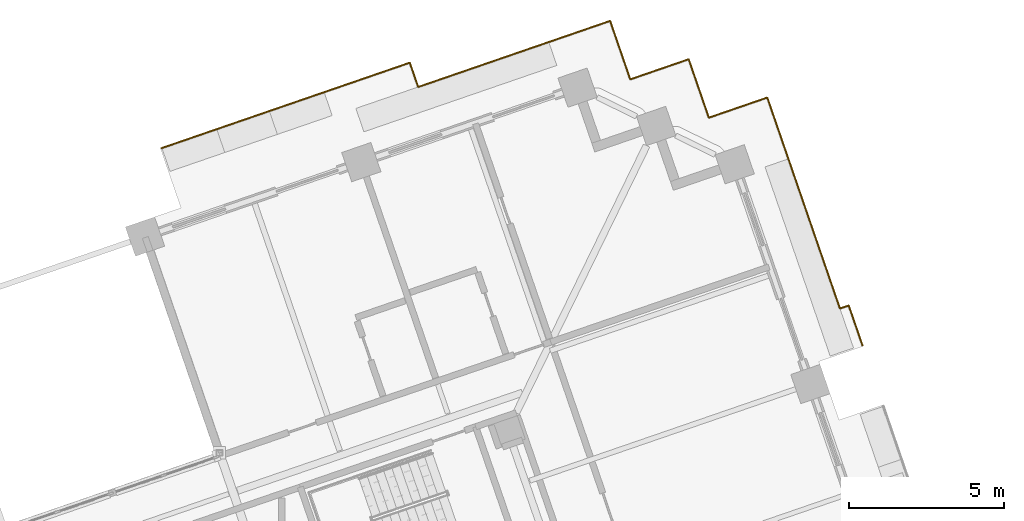
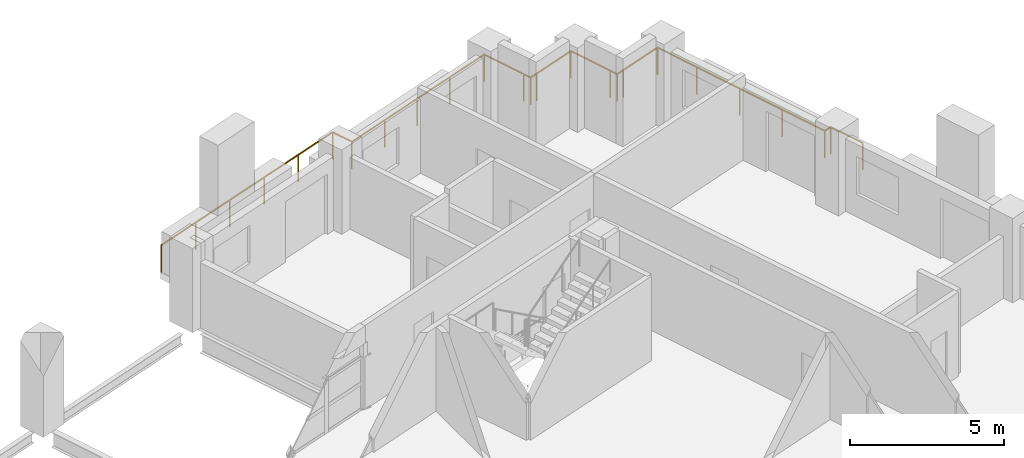
# One storey, part 20 of 22: 2 railings.
"""IFC4 building model written with IfcOpenShell, lengths in metres."""

from ifc_helpers import new_model, si_unit, direction, frame, origin, origin_2d, place, context, subcontext, project, spatial, circle, extrude, material, type_object, element, save


model = new_model("IFC4")

# Units and contexts
model_context = context("Model", 3, precision=1e-05, world=origin(), true_north=direction((0.0, 1.0)))
body_context = subcontext(model_context, "Body", "Model", "MODEL_VIEW")
ifc_project = project(units=[si_unit("LENGTHUNIT", "METRE"), si_unit("AREAUNIT", "SQUARE_METRE"), si_unit("VOLUMEUNIT", "CUBIC_METRE"), si_unit("PLANEANGLEUNIT", "RADIAN"), si_unit("MASSUNIT", "GRAM", prefix="KILO")], contexts=[model_context])

# Site, building, storey
site_placement = place(None, origin())
site = spatial("IfcSite", under=ifc_project, at=site_placement, CompositionType="ELEMENT")
building_placement = place(site_placement, origin())
building = spatial("IfcBuilding", under=site, at=building_placement, Name="Cantera Rosa Tower", CompositionType="ELEMENT")
storey_placement = place(building_placement, frame((0.0, 0.0, 138.300048828125)))
storey = spatial("IfcBuildingStorey", under=building, at=storey_placement, Name="L29", CompositionType="ELEMENT", Elevation=138.300048828125)

# Railings
ifc_material = material(Name="Stainless steel and laminated glass", Category="steel")
railing_type = type_object("IfcRailingType", Name="GUARD 1100", PredefinedType="BALUSTRADE", material=ifc_material)
railing_1_placement = place(storey_placement, frame((13.01416015625, 30.392822265625, 0.0)))
element("IfcRailing", 1, at=railing_1_placement, inside=storey, type_object=railing_type, Name="GUARD L29-11", PredefinedType="BALUSTRADE", context=body_context, shape_type="SweptSolid", body=[
    extrude(circle(Radius=0.030029296875, at=origin_2d()), frame((0.0, 0.0, 1.070068359375), z_axis=(0.945520918819, 0.325561349174, 0.0), x_axis=(-0.325561349174, 0.945520918819, 0.0)), (0.0, 0.0, 1.0), 1.699951171875),
    extrude(circle(Radius=0.030029296875, at=origin_2d()), frame((1.607421875, 0.553466796875, 1.070068359375), z_axis=(0.325561349174, -0.945520918819, 0.0), x_axis=(0.945520918819, 0.325561349174, 0.0)), (0.0, 0.0, 1.0), 1.699951171875),
    extrude(circle(Radius=0.030029296875, at=origin_2d()), frame((2.160888671875, -1.053955078125, 1.070068359375), z_axis=(0.325489086777, -0.945545797087, 0.0), x_axis=(0.945545797087, 0.325489086777, 0.0)), (0.0, 0.0, 1.0), 0.300048828125),
    extrude(circle(Radius=0.030029296875, at=origin_2d()), frame((2.258544921875, -1.337646484375, 1.070068359375), z_axis=(0.945459489149, 0.325739703411, 0.0), x_axis=(-0.325739703411, 0.945459489149, 0.0)), (0.0, 0.0, 1.0), 0.2998046875),
    extrude(circle(Radius=0.030029296875, at=origin_2d()), frame((2.5419921875, -1.239990234375, 1.070068359375), z_axis=(0.945520918819, 0.325561349174, 0.0), x_axis=(-0.325561349174, 0.945520918819, 0.0)), (0.0, 0.0, 1.0), 1.699951171875),
    extrude(circle(Radius=0.030029296875, at=origin_2d()), frame((4.1494140625, -0.6865234375, 1.070068359375), z_axis=(0.325605561237, -0.945505694584, 0.0), x_axis=(0.945505694584, 0.325605561237, 0.0)), (0.0, 0.0, 1.0), 1.69970703125),
    extrude(circle(Radius=0.030029296875, at=origin_2d()), frame((4.702880859375, -2.293701171875, 1.070068359375), z_axis=(0.325489086777, -0.945545797087, 0.0), x_axis=(0.945545797087, 0.325489086777, 0.0)), (0.0, 0.0, 1.0), 0.300048828125),
    extrude(circle(Radius=0.030029296875, at=origin_2d()), frame((4.800537109375, -2.577392578125, 1.070068359375), z_axis=(0.945545797087, 0.325489086777, 0.0), x_axis=(-0.325489086777, 0.945545797087, 0.0)), (0.0, 0.0, 1.0), 0.300048828125),
    extrude(circle(Radius=0.030029296875, at=origin_2d()), frame((5.084228515625, -2.479736328125, 1.070068359375), z_axis=(0.945520918819, 0.325561349174, 0.0), x_axis=(-0.325561349174, 0.945520918819, 0.0)), (0.0, 0.0, 1.0), 1.699951171875),
    extrude(circle(Radius=0.030029296875, at=origin_2d()), frame((6.691650390625, -1.92626953125, 1.070068359375), z_axis=(0.325561349174, -0.945520918819, 0.0), x_axis=(0.945520918819, 0.325561349174, 0.0)), (0.0, 0.0, 1.0), 1.699951171875),
    extrude(circle(Radius=0.030029296875, at=origin_2d()), frame((7.2451171875, -3.53369140625, 1.070068359375), z_axis=(0.325569350846, -0.945518163649, 0.0), x_axis=(0.945518163649, 0.325569350846, 0.0)), (0.0, 0.0, 1.0), 5.518310546875),
    extrude(circle(Radius=0.030029296875, at=origin_2d()), frame((9.041748046875, -8.75146484375, 1.070068359375), z_axis=(0.945562091627, 0.325441747289, 0.0), x_axis=(-0.325441747289, 0.945562091627, 0.0)), (0.0, 0.0, 1.0), 0.301513671875),
    extrude(circle(Radius=0.030029296875, at=origin_2d()), frame((9.326904296875, -8.6533203125, 1.070068359375), z_axis=(0.325557288709, -0.945522316907, 0.0), x_axis=(0.945522316907, 0.325557288709, 0.0)), (0.0, 0.0, 1.0), 1.37158203125),
    extrude(circle(Radius=0.02490234375, at=origin_2d()), origin(), (0.0, 0.0, 1.0), 1.0400390625),
    extrude(circle(Radius=0.02490234375, at=origin_2d()), frame((1.607421875, 0.553466796875, 0.0)), (0.0, 0.0, 1.0), 1.0400390625),
    extrude(circle(Radius=0.02490234375, at=origin_2d()), frame((2.160888671875, -1.053955078125, 0.0)), (0.0, 0.0, 1.0), 1.0400390625),
    extrude(circle(Radius=0.02490234375, at=origin_2d()), frame((2.258544921875, -1.337646484375, 0.0)), (0.0, 0.0, 1.0), 1.0400390625),
    extrude(circle(Radius=0.02490234375, at=origin_2d()), frame((2.5419921875, -1.239990234375, 0.0)), (0.0, 0.0, 1.0), 1.0400390625),
    extrude(circle(Radius=0.02490234375, at=origin_2d()), frame((4.1494140625, -0.6865234375, 0.0)), (0.0, 0.0, 1.0), 1.0400390625),
    extrude(circle(Radius=0.02490234375, at=origin_2d()), frame((4.702880859375, -2.293701171875, 0.0)), (0.0, 0.0, 1.0), 1.0400390625),
    extrude(circle(Radius=0.02490234375, at=origin_2d()), frame((4.800537109375, -2.577392578125, 0.0)), (0.0, 0.0, 1.0), 1.0400390625),
    extrude(circle(Radius=0.02490234375, at=origin_2d()), frame((5.084228515625, -2.479736328125, 0.0)), (0.0, 0.0, 1.0), 1.0400390625),
    extrude(circle(Radius=0.02490234375, at=origin_2d()), frame((6.691650390625, -1.92626953125, 0.0)), (0.0, 0.0, 1.0), 1.0400390625),
    extrude(circle(Radius=0.02490234375, at=origin_2d()), frame((7.2451171875, -3.53369140625, 0.0)), (0.0, 0.0, 1.0), 1.0400390625),
    extrude(circle(Radius=0.02490234375, at=origin_2d()), frame((7.843994140625, -5.27294921875, 0.0)), (0.0, 0.0, 1.0), 1.0400390625),
    extrude(circle(Radius=0.02490234375, at=origin_2d()), frame((8.44287109375, -7.01220703125, 0.0)), (0.0, 0.0, 1.0), 1.0400390625),
    extrude(circle(Radius=0.02490234375, at=origin_2d()), frame((9.041748046875, -8.75146484375, 0.0)), (0.0, 0.0, 1.0), 1.0400390625),
    extrude(circle(Radius=0.02490234375, at=origin_2d()), frame((9.326904296875, -8.6533203125, 0.0)), (0.0, 0.0, 1.0), 1.0400390625),
    extrude(circle(Radius=0.02490234375, at=origin_2d()), frame((9.7734375, -9.9501953125, 0.0)), (0.0, 0.0, 1.0), 1.0400390625),
])
railing_2_placement = place(storey_placement, frame((0.1015625, 26.82666015625, 0.0)))
element("IfcRailing", 2, at=railing_2_placement, inside=storey, type_object=railing_type, Name="GUARD L29-12", PredefinedType="BALUSTRADE", context=body_context, shape_type="SweptSolid", body=[
    extrude(circle(Radius=0.030029296875, at=origin_2d()), frame((0.0, 0.0, 1.070068359375), z_axis=(0.945515705573, 0.3255764895, 0.0), x_axis=(-0.3255764895, 0.945515705573, 0.0)), (0.0, 0.0, 1.0), 8.501953125),
    extrude(circle(Radius=0.030029296875, at=origin_2d()), frame((8.038818359375, 2.76806640625, 1.070068359375), z_axis=(0.325629026099, -0.94549761362, 0.0), x_axis=(0.94549761362, 0.325629026099, 0.0)), (0.0, 0.0, 1.0), 0.832275390625),
    extrude(circle(Radius=0.030029296875, at=origin_2d()), frame((8.309814453125, 1.981201171875, 1.070068359375), z_axis=(0.945512531249, 0.325585707997, 0.0), x_axis=(-0.325585707997, 0.945512531249, 0.0)), (0.0, 0.0, 1.0), 4.867919921875),
    extrude(circle(Radius=0.02490234375, at=origin_2d()), origin(), (0.0, 0.0, 1.0), 1.0400390625),
    extrude(circle(Radius=0.02490234375, at=origin_2d()), frame((1.607666015625, 0.5537109375, 0.0)), (0.0, 0.0, 1.0), 1.0400390625),
    extrude(circle(Radius=0.02490234375, at=origin_2d()), frame((3.215576171875, 1.107177734375, 0.0)), (0.0, 0.0, 1.0), 1.0400390625),
    extrude(circle(Radius=0.02490234375, at=origin_2d()), frame((4.8232421875, 1.660888671875, 0.0)), (0.0, 0.0, 1.0), 1.0400390625),
    extrude(circle(Radius=0.02490234375, at=origin_2d()), frame((6.43115234375, 2.21435546875, 0.0)), (0.0, 0.0, 1.0), 1.0400390625),
    extrude(circle(Radius=0.02490234375, at=origin_2d()), frame((8.038818359375, 2.76806640625, 0.0)), (0.0, 0.0, 1.0), 1.0400390625),
    extrude(circle(Radius=0.02490234375, at=origin_2d()), frame((8.309814453125, 1.981201171875, 0.0)), (0.0, 0.0, 1.0), 1.0400390625),
    extrude(circle(Radius=0.02490234375, at=origin_2d()), frame((9.843994140625, 2.509521484375, 0.0)), (0.0, 0.0, 1.0), 1.0400390625),
    extrude(circle(Radius=0.02490234375, at=origin_2d()), frame((11.37841796875, 3.037841796875, 0.0)), (0.0, 0.0, 1.0), 1.0400390625),
    extrude(circle(Radius=0.02490234375, at=origin_2d()), frame((12.91259765625, 3.566162109375, 0.0)), (0.0, 0.0, 1.0), 1.0400390625),
])

save(model, "model.ifc")
